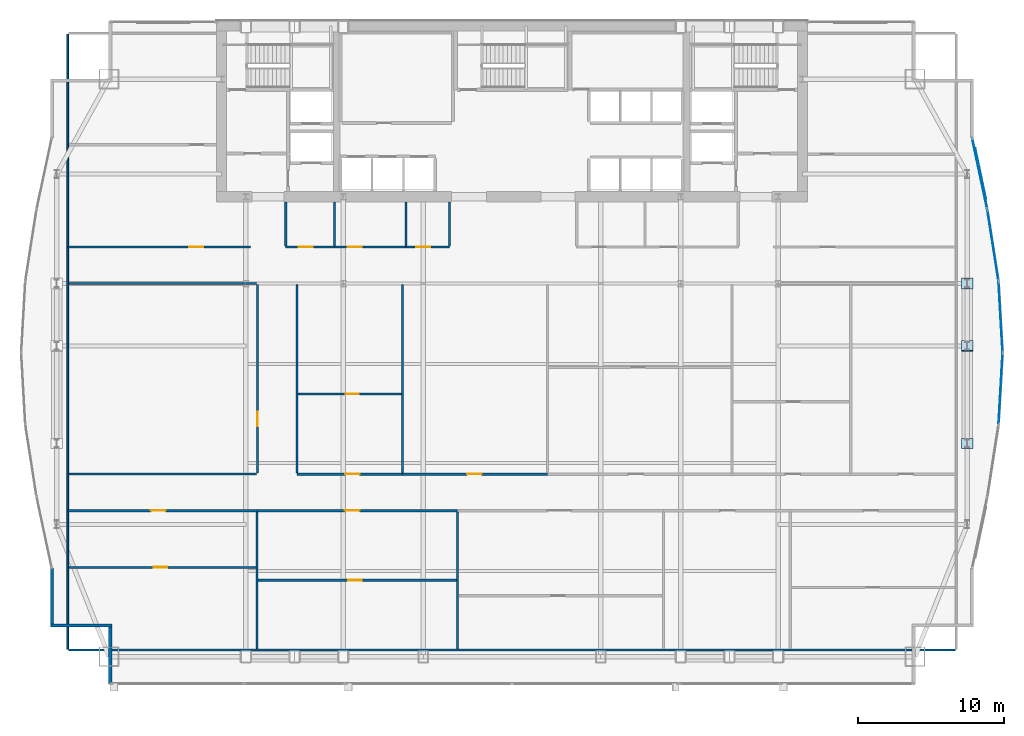
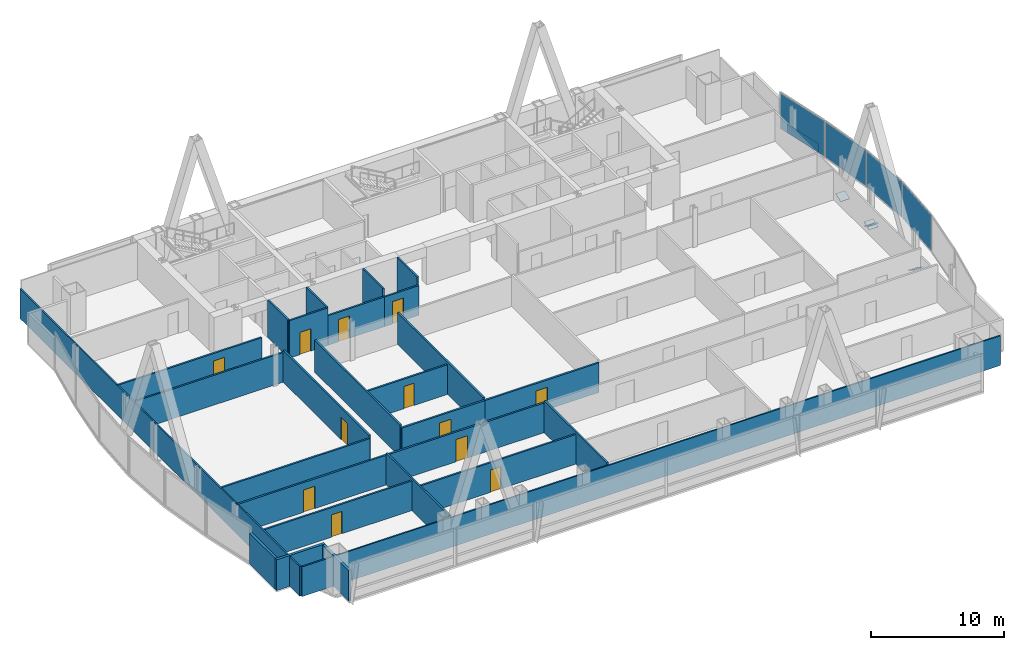
# One storey, part 25 of 30: 27 walls, 12 doors, 9 plates, 12 openings, 4 elements without a shape of their own.
"""IFC4 building model written with IfcOpenShell, lengths in metres."""

from ifc_helpers import new_model, si_unit, direction, frame, frame_2d, origin, origin_2d, place, context, subcontext, project, spatial, polyline, rectangle, outline, extrude, material, layer, layer_set, type_object, element, fill, aggregate, save


model = new_model("IFC4")

# Units and contexts
model_context = context("Model", 3, precision=1e-05, world=origin(), true_north=direction((0.0, 1.0)))
body_context = subcontext(model_context, "Body", "Model", "MODEL_VIEW")
ifc_project = project(units=[si_unit("LENGTHUNIT", "METRE"), si_unit("AREAUNIT", "SQUARE_METRE"), si_unit("VOLUMEUNIT", "CUBIC_METRE"), si_unit("PLANEANGLEUNIT", "RADIAN"), si_unit("MASSUNIT", "GRAM", prefix="KILO")], contexts=[model_context])

# Site, building, storey
site_placement = place(None, origin())
site = spatial("IfcSite", under=ifc_project, at=site_placement, CompositionType="ELEMENT")
building_placement = place(site_placement, origin())
building = spatial("IfcBuilding", under=site, at=building_placement, Name="Khoronbel Lancet Exchange", CompositionType="ELEMENT")
storey_placement = place(building_placement, frame((0.0, 0.0, 157.800048828125)))
storey = spatial("IfcBuildingStorey", under=building, at=storey_placement, Name="L39", CompositionType="ELEMENT", Elevation=157.800048828125)

# Curtain wall, plate
ifc_material_1 = material(Name="Low-E Solar Control Insulating Glass", Category="glass")
curtain_wall_type = type_object("IfcCurtainWallType", Name="CW-4", PredefinedType="NOTDEFINED", material=ifc_material_1)
curtain_wall_1_placement = place(storey_placement, origin())
curtain_wall_1 = element("IfcCurtainWall", 1, at=curtain_wall_1_placement, inside=storey, type_object=curtain_wall_type, Name="Unitised curtain wall CW-L39-E17", PredefinedType="NOTDEFINED")
ifc_material_2 = material(Name="Bronze-Anodised Aluminium 6063-T6", Category="aluminium")
ifc_layer_1 = layer(ifc_material_2, 0.050048828125, Name="Bronze-Anodised Aluminium 6063-T6")
ifc_layer_set_1 = layer_set([ifc_layer_1], Name="Bronze-Anodised Aluminium 6063-T6")
plate_type_1 = type_object("IfcPlateType", Name="PLT-CSP1", PredefinedType="SHEET", material=ifc_layer_set_1)
plate_1_placement = place(storey_placement, frame((68.54345703125, 43.2412109375, 0.0498046875), z_axis=(0.0, 0.0, 1.0), x_axis=(0.208496605228, -0.978023090529, 0.0)))
plate_1 = element("IfcPlate", 2, at=plate_1_placement, type_object=plate_type_1, Name="Insulated bronze spandrel cassette CW-L39-E17", PredefinedType="SHEET", context=body_context, shape_type="SweptSolid", body=[
    extrude(rectangle(XDim=3.52392578125, YDim=0.050048828125, at=origin_2d()), origin(), (0.0, 0.0, 1.0), 0.800048828125),
])

curtain_wall_2_placement = place(storey_placement, origin())
curtain_wall_2 = element("IfcCurtainWall", 3, at=curtain_wall_2_placement, inside=storey, type_object=curtain_wall_type, Name="Unitised curtain wall CW-L39-E18", PredefinedType="NOTDEFINED")
plate_2_placement = place(storey_placement, frame((69.392578125, 38.31201171875, 0.0849609375), z_axis=(0.0, 0.0, 1.0), x_axis=(0.154189029189, -0.98804136719, 0.0)))
plate_2 = element("IfcPlate", 4, at=plate_2_placement, type_object=plate_type_1, Name="CW4 panel 1.1", PredefinedType="CURTAIN_PANEL", context=body_context, shape_type="SweptSolid", body=[
    extrude(rectangle(XDim=4.8193359375, YDim=0.0380859375, at=origin_2d()), origin(), (0.0, 0.0, 1.0), 3.27001953125),
])
aggregate(curtain_wall_2, [plate_2])

curtain_wall_3_placement = place(storey_placement, origin())
curtain_wall_3 = element("IfcCurtainWall", 5, at=curtain_wall_3_placement, inside=storey, type_object=curtain_wall_type, Name="Unitised curtain wall CW-L39-E19", PredefinedType="NOTDEFINED")
plate_3_placement = place(storey_placement, frame((69.916015625, 33.403564453125, 0.0849609375), z_axis=(0.0, 0.0, 1.0), x_axis=(0.05702719411, -0.998372625392, 0.0)))
plate_3 = element("IfcPlate", 6, at=plate_3_placement, type_object=plate_type_1, Name="CW4 panel 1.1", PredefinedType="CURTAIN_PANEL", context=body_context, shape_type="SweptSolid", body=[
    extrude(rectangle(XDim=4.76513671875, YDim=0.0380859375, at=origin_2d()), origin(), (0.0, 0.0, 1.0), 3.27001953125),
])
aggregate(curtain_wall_3, [plate_3])

curtain_wall_4_placement = place(storey_placement, origin())
curtain_wall_4 = element("IfcCurtainWall", 7, at=curtain_wall_4_placement, inside=storey, type_object=curtain_wall_type, Name="Unitised curtain wall CW-L39-E20", PredefinedType="NOTDEFINED")
plate_4_placement = place(storey_placement, frame((69.916015625, 28.496337890625, 0.0849609375), z_axis=(0.0, 0.0, 1.0), x_axis=(-0.05702719411, -0.998372625392, 0.0)))
plate_4 = element("IfcPlate", 8, at=plate_4_placement, type_object=plate_type_1, Name="CW4 panel 1.1", PredefinedType="CURTAIN_PANEL", context=body_context, shape_type="SweptSolid", body=[
    extrude(rectangle(XDim=4.76513671875, YDim=0.0380859375, at=origin_2d()), origin(), (0.0, 0.0, 1.0), 3.27001953125),
])
aggregate(curtain_wall_4, [plate_4])

# Plate
ifc_material_3 = material(Name="Ceramic-Fritted Laminated Insulating Glass", Category="glass")
ifc_layer_2 = layer(ifc_material_3, 0.0419921875, Name="Ceramic-Fritted Laminated Insulating Glass")
ifc_layer_set_2 = layer_set([ifc_layer_2], Name="Ceramic-Fritted Laminated Insulating Glass")
plate_type_2 = type_object("IfcPlateType", Name="PLT-CWP2", PredefinedType="CURTAIN_PANEL", material=ifc_layer_set_2)
plate_5_placement = place(storey_placement, frame((68.48486328125, 43.228759765625, 0.0849609375), z_axis=(0.0, 0.0, 1.0), x_axis=(0.208496605228, -0.978023090529, 0.0)))
plate_5 = element("IfcPlate", 9, at=plate_5_placement, type_object=plate_type_2, Name="CW4 panel 1.1", PredefinedType="CURTAIN_PANEL", context=body_context, shape_type="SweptSolid", body=[
    extrude(rectangle(XDim=4.884033203125, YDim=0.0380859375, at=origin_2d()), origin(), (0.0, 0.0, 1.0), 3.27001953125),
])

aggregate(curtain_wall_1, [plate_5, plate_1])

# Plates
ifc_material_4 = material(Name="Steel S460", Category="steel")
ifc_layer_3 = layer(ifc_material_4, 0.044921875, Name="Steel S460")
ifc_layer_set_3 = layer_set([ifc_layer_3], Name="Steel S460")
plate_type_3 = type_object("IfcPlateType", Name="PLT-ECP1", PredefinedType="USERDEFINED", material=ifc_layer_set_3)
plate_6_placement = place(storey_placement, frame((68.030029296875, 31.78271484375, -0.182373046875), z_axis=(0.0, 0.525713722958, 0.850661555199), x_axis=(-1.0, 0.0, 0.0)))
element("IfcPlate", 10, at=plate_6_placement, inside=storey, type_object=plate_type_3, Name="Hollow end cap plate PLT-CAP-MEM-MB-T12-E-P-L-1", ObjectType="STIFFENER_PLATE", PredefinedType="USERDEFINED", context=body_context, shape_type="SweptSolid", body=[
    extrude(outline(polyline([(0.0, 0.0), (0.800048828125, 0.0), (0.800048828125, 0.800048828125), (0.0, 0.800048828125), (0.0, 0.0)])), origin(), (0.0, 0.0, -1.0), 0.044921875),
])
plate_7_placement = place(storey_placement, frame((67.22998046875, 31.041015625, -0.11669921875), z_axis=(0.0, -0.368125419582, 0.929776142659), x_axis=(1.0, 0.0, 0.0)))
element("IfcPlate", 11, at=plate_7_placement, inside=storey, type_object=plate_type_3, Name="Hollow end cap plate PLT-CAP-MEM-MB-T12-E-P-R-1", ObjectType="STIFFENER_PLATE", PredefinedType="USERDEFINED", context=body_context, shape_type="SweptSolid", body=[
    extrude(outline(polyline([(0.0, 0.0), (0.800048828125, 0.0), (0.800048828125, 0.7998046875), (0.0, 0.7998046875), (0.0, 0.0)])), origin(), (0.0, 0.0, -1.0), 0.044921875),
])
for number, where, z_axis, x_axis, name in (
    (12, (68.030029296875, 25.0966796875, -0.2001953125), (0.0, 0.525713722958, 0.850661555199), (-1.0, 0.0, 0.0), "Hollow end cap plate PLT-CAP-MEM-MB-T13-E-P-L-0"),
    (13, (67.22998046875, 35.32373046875, -0.13623046875), (0.0, -0.368284752847, 0.929713042191), (1.0, 0.0, 0.0), "Hollow end cap plate PLT-CAP-MEM-MB-T13-E-P-R-0"),
):
    element("IfcPlate", number, at=place(storey_placement, frame(where, z_axis=z_axis, x_axis=x_axis)), inside=storey, type_object=plate_type_3, Name=name, ObjectType="STIFFENER_PLATE", PredefinedType="USERDEFINED", context=body_context, shape_type="SweptSolid", body=[
        extrude(outline(polyline([(0.0, 0.0), (0.800048828125, 0.0), (0.800048828125, 0.800048828125), (0.0, 0.800048828125), (0.0, 0.0)])), origin(), (0.0, 0.0, -1.0), 0.044921875),
    ])

# Walls
ifc_material_5 = material(Name="Precast concrete C40/50", Category="concrete")
ifc_layer_4 = layer(ifc_material_5, 0.25, Name="Precast concrete C40/50")
ifc_layer_set_4 = layer_set([ifc_layer_4], Name="Precast concrete C40/50")
wall_type_1 = type_object("IfcWallType", Name="WL-EXT250", PredefinedType="SOLIDWALL", material=ifc_layer_set_4)
wall_1_placement = place(storey_placement, frame((8.93994140625, 8.27001953125, 0.0), z_axis=(0.0, 0.0, 1.0), x_axis=(0.0, 1.0, 0.0)))
element("IfcWall", 14, at=wall_1_placement, inside=storey, type_object=wall_type_1, Name="Level L39 notched-corner limestone pier 01", PredefinedType="SOLIDWALL", context=body_context, shape_type="SweptSolid", body=[
    extrude(rectangle(XDim=3.909912109375, YDim=0.219970703125, at=frame_2d((1.955078125, 0.0))), origin(), (0.0, 0.0, 1.0), 2.829833984375),
])
wall_2_placement = place(storey_placement, frame((9.050048828125, 12.2900390625, 0.0), z_axis=(0.0, 0.0, 1.0), x_axis=(-1.0, 0.0, 0.0)))
element("IfcWall", 15, at=wall_2_placement, inside=storey, type_object=wall_type_1, Name="Level L39 notched-corner limestone pier 02", PredefinedType="SOLIDWALL", context=body_context, shape_type="SweptSolid", body=[
    extrude(rectangle(XDim=4.219970703125, YDim=0.219970703125, at=frame_2d((2.10986328125, 0.0))), origin(), (0.0, 0.0, 1.0), 2.829833984375),
])
wall_3_placement = place(storey_placement, frame((4.93994140625, 12.39990234375, 0.0), z_axis=(0.0, 0.0, 1.0), x_axis=(0.0, 1.0, 0.0)))
element("IfcWall", 16, at=wall_3_placement, inside=storey, type_object=wall_type_1, Name="Level L39 notched-corner limestone pier 03", PredefinedType="SOLIDWALL", context=body_context, shape_type="SweptSolid", body=[
    extrude(rectangle(XDim=3.82958984375, YDim=0.219970703125, at=frame_2d((1.914794921875, 0.0))), origin(), (0.0, 0.0, 1.0), 2.829833984375),
])
ifc_material_6 = material(Name="Acoustic Metal-Stud & Mineral-Wool Gypsum Partition 120 mm", Category="gypsum")
ifc_layer_5 = layer(ifc_material_6, 0.1201171875, Name="Acoustic Metal-Stud & Mineral-Wool Gypsum Partition 120 mm")
ifc_layer_set_5 = layer_set([ifc_layer_5], Name="Acoustic Metal-Stud & Mineral-Wool Gypsum Partition 120 mm")
wall_type_2 = type_object("IfcWallType", Name="WL-PRT120", PredefinedType="PARTITIONING", material=ifc_layer_set_5)
for number, where, z_axis, x_axis, name in (
    (17, (20.949951171875, 38.280029296875, 0.0), (0.0, 0.0, 1.0), (0.0, 1.0, 0.0), "Level L39 interior partition PW-WC-0"),
    (18, (24.300048828125, 38.280029296875, 0.0), (0.0, 0.0, 1.0), (0.0, 1.0, 0.0), "Level L39 interior partition PW-WC-1"),
    (19, (29.199951171875, 38.280029296875, 0.0), (0.0, 0.0, 1.0), (0.0, 1.0, 0.0), "Level L39 interior partition PW-WC-2"),
    (20, (32.179931640625, 38.280029296875, 0.0), (0.0, 0.0, 1.0), (0.0, 1.0, 0.0), "Level L39 interior partition PW-WC-3"),
):
    element("IfcWall", number, at=place(storey_placement, frame(where, z_axis=z_axis, x_axis=x_axis)), inside=storey, type_object=wall_type_2, Name=name, PredefinedType="PARTITIONING", context=body_context, shape_type="SweptSolid", body=[
        extrude(rectangle(XDim=3.02001953125, YDim=0.14990234375, at=frame_2d((1.510009765625, 0.0))), origin(), (0.0, 0.0, 1.0), 3.43994140625),
    ])

# Wall, opening, door
wall_4_placement = place(storey_placement, frame((6.094970703125, 16.2626953125, 0.0), z_axis=(0.0, 0.0, 1.0), x_axis=(1.0, 0.0, 0.0)))
wall_4 = element("IfcWall", 21, at=wall_4_placement, inside=storey, type_object=wall_type_2, Name="Level L39 interior partition PW-Z2S-H1", PredefinedType="PARTITIONING", context=body_context, shape_type="SweptSolid", body=[
    extrude(rectangle(XDim=12.81103515625, YDim=0.14990234375, at=frame_2d((6.405517578125, 0.0))), origin(), (0.0, 0.0, 1.0), 2.72998046875),
])
opening_1_placement = place(wall_4_placement, frame((5.830078125, 0.0, 0.0)))
opening_1 = element("IfcOpeningElement", 22, at=opening_1_placement, cuts=wall_4, Name="Opening D5", PredefinedType="OPENING", context=body_context, shape_type="SweptSolid", body=[
    extrude(rectangle(XDim=0.89990234375, YDim=2.050048828125, at=frame_2d((0.449951171875, 1.02490234375))), frame((0.0, 0.0849609375, 0.0), z_axis=(0.0, -1.0, 0.0), x_axis=(1.0, 0.0, 0.0)), (0.0, 0.0, 1.0), 0.169921875),
])
ifc_material_7 = material(Name="Acoustic Timber Pantry & Support Door", Category="wood")
door_type_1 = type_object("IfcDoorType", Name="DR-D5", OperationType="NOTDEFINED", PredefinedType="DOOR", material=ifc_material_7)
door_1_placement = place(opening_1_placement, origin())
door_1 = element("IfcDoor", 23, at=door_1_placement, inside=storey, type_object=door_type_1, Name="Z2S inner door 1 L39-1", OperationType="SINGLE_SWING_LEFT", OverallHeight=2.050048828125, OverallWidth=0.89990234375, PredefinedType="DOOR", context=body_context, shape_type="SweptSolid", body=[
    extrude(rectangle(XDim=0.89990234375, YDim=2.050048828125, at=frame_2d((0.449951171875, 1.02490234375))), frame((0.0, 0.02490234375, 0.0), z_axis=(0.0, -1.0, 0.0), x_axis=(1.0, 0.0, 0.0)), (0.0, 0.0, 1.0), 0.050048828125),
])
fill(opening_1, door_1)

wall_5_placement = place(storey_placement, frame((19.06591796875, 15.375, 0.0), z_axis=(0.0, 0.0, 1.0), x_axis=(1.0, 0.0, 0.0)))
wall_5 = element("IfcWall", 24, at=wall_5_placement, inside=storey, type_object=wall_type_2, Name="Level L39 interior partition PW-Z2S-H2", PredefinedType="PARTITIONING", context=body_context, shape_type="SweptSolid", body=[
    extrude(rectangle(XDim=13.578857421875, YDim=0.14990234375, at=frame_2d((6.78955078125, 0.0))), origin(), (0.0, 0.0, 1.0), 2.72998046875),
])
opening_2_placement = place(wall_5_placement, frame((6.1826171875, 0.0, 0.0)))
opening_2 = element("IfcOpeningElement", 25, at=opening_2_placement, cuts=wall_5, Name="Opening D5", PredefinedType="OPENING", context=body_context, shape_type="SweptSolid", body=[
    extrude(rectangle(XDim=0.89990234375, YDim=2.050048828125, at=frame_2d((0.449951171875, 1.02490234375))), frame((0.0, 0.0849609375, 0.0), z_axis=(0.0, -1.0, 0.0), x_axis=(1.0, 0.0, 0.0)), (0.0, 0.0, 1.0), 0.169921875),
])
door_2_placement = place(opening_2_placement, origin())
door_2 = element("IfcDoor", 26, at=door_2_placement, inside=storey, type_object=door_type_1, Name="Z2S inner door 2 L39-1", OperationType="SINGLE_SWING_LEFT", OverallHeight=2.050048828125, OverallWidth=0.89990234375, PredefinedType="DOOR", context=body_context, shape_type="SweptSolid", body=[
    extrude(rectangle(XDim=0.89990234375, YDim=2.050048828125, at=frame_2d((0.449951171875, 1.02490234375))), frame((0.0, 0.02490234375, 0.0), z_axis=(0.0, -1.0, 0.0), x_axis=(1.0, 0.0, 0.0)), (0.0, 0.0, 1.0), 0.050048828125),
])
fill(opening_2, door_2)

wall_6_placement = place(storey_placement, frame((21.81005859375, 28.131103515625, 0.0), z_axis=(0.0, 0.0, 1.0), x_axis=(1.0, 0.0, 0.0)))
wall_6 = element("IfcWall", 27, at=wall_6_placement, inside=storey, type_object=wall_type_2, Name="Level L39 interior partition PW-Z2N-H1", PredefinedType="PARTITIONING", context=body_context, shape_type="SweptSolid", body=[
    extrude(rectangle(XDim=7.062255859375, YDim=0.14990234375, at=frame_2d((3.53125, 0.0))), origin(), (0.0, 0.0, 1.0), 2.72998046875),
])
opening_3_placement = place(wall_6_placement, frame((3.25, 0.0, 0.0)))
opening_3 = element("IfcOpeningElement", 28, at=opening_3_placement, cuts=wall_6, Name="Opening D5", PredefinedType="OPENING", context=body_context, shape_type="SweptSolid", body=[
    extrude(rectangle(XDim=0.89990234375, YDim=2.050048828125, at=frame_2d((0.449951171875, 1.02490234375))), frame((0.0, 0.0849609375, 0.0), z_axis=(0.0, -1.0, 0.0), x_axis=(1.0, 0.0, 0.0)), (0.0, 0.0, 1.0), 0.169921875),
])
door_3_placement = place(opening_3_placement, origin())
door_3 = element("IfcDoor", 29, at=door_3_placement, inside=storey, type_object=door_type_1, Name="Z2N inner door 1 L39-1", OperationType="SINGLE_SWING_RIGHT", OverallHeight=2.050048828125, OverallWidth=0.89990234375, PredefinedType="DOOR", context=body_context, shape_type="SweptSolid", body=[
    extrude(rectangle(XDim=0.89990234375, YDim=2.050048828125, at=frame_2d((0.449951171875, 1.02490234375))), frame((0.0, 0.02490234375, 0.0), z_axis=(0.0, -1.0, 0.0), x_axis=(1.0, 0.0, 0.0)), (0.0, 0.0, 1.0), 0.050048828125),
])
fill(opening_3, door_3)

# Walls
wall_7_placement = place(storey_placement, frame((6.030029296875, 10.6650390625, 0.0), z_axis=(0.0, 0.0, 1.0), x_axis=(0.0, 1.0, 0.0)))
element("IfcWall", 30, at=wall_7_placement, inside=storey, type_object=wall_type_2, Name="Level L39 interior partition PW-LIN-W", PredefinedType="PARTITIONING", context=body_context, shape_type="SweptSolid", body=[
    extrude(rectangle(XDim=42.10986328125, YDim=0.1201171875, at=frame_2d((21.054931640625, 0.0))), origin(), (0.0, 0.0, 1.0), 2.72998046875),
])
wall_8_placement = place(storey_placement, frame((6.094970703125, 10.60009765625, 0.0), z_axis=(0.0, 0.0, 1.0), x_axis=(1.0, 0.0, 0.0)))
element("IfcWall", 31, at=wall_8_placement, inside=storey, type_object=wall_type_2, Name="Level L39 interior partition PW-LIN-S", PredefinedType="PARTITIONING", context=body_context, shape_type="SweptSolid", body=[
    extrude(rectangle(XDim=60.7099609375, YDim=0.1201171875, at=frame_2d((30.35498046875, 0.0))), origin(), (0.0, 0.0, 1.0), 2.72998046875),
])

# Wall, opening, door
ifc_material_8 = material(Name="Fire-Rated Twin-Stud Acoustic Gypsum Partition 150 mm", Category="gypsum")
ifc_layer_6 = layer(ifc_material_8, 0.14990234375, Name="Fire-Rated Twin-Stud Acoustic Gypsum Partition 150 mm")
ifc_layer_set_6 = layer_set([ifc_layer_6], Name="Fire-Rated Twin-Stud Acoustic Gypsum Partition 150 mm")
wall_type_3 = type_object("IfcWallType", Name="WL-PRT150C", PredefinedType="PARTITIONING", material=ifc_layer_set_6)
wall_9_placement = place(storey_placement, frame((20.949951171875, 38.199951171875, 0.0), z_axis=(0.0, 0.0, 1.0), x_axis=(1.0, 0.0, 0.0)))
wall_9 = element("IfcWall", 32, at=wall_9_placement, inside=storey, type_object=wall_type_3, Name="Level L39 interior partition PW-WC-S1", PredefinedType="PARTITIONING", context=body_context, shape_type="SweptSolid", body=[
    extrude(rectangle(XDim=3.35009765625, YDim=0.14990234375, at=frame_2d((1.675048828125, 0.0))), origin(), (0.0, 0.0, 1.0), 3.43994140625),
])
opening_4_placement = place(wall_9_placement, frame((0.89990234375, 0.0, 0.0)))
opening_4 = element("IfcOpeningElement", 33, at=opening_4_placement, cuts=wall_9, Name="Opening D4", PredefinedType="OPENING", context=body_context, shape_type="SweptSolid", body=[
    extrude(rectangle(XDim=0.949951171875, YDim=2.050048828125, at=frame_2d((0.47509765625, 1.02490234375))), frame((0.0, 0.0849609375, 0.0), z_axis=(0.0, -1.0, 0.0), x_axis=(1.0, 0.0, 0.0)), (0.0, 0.0, 1.0), 0.169921875),
])
ifc_material_9 = material(Name="Moisture-Resistant HPL Washroom Door", Category="wood")
door_type_2 = type_object("IfcDoorType", Name="DR-D4", OperationType="NOTDEFINED", PredefinedType="DOOR", material=ifc_material_9)
door_4_placement = place(opening_4_placement, origin())
door_4 = element("IfcDoor", 34, at=door_4_placement, inside=storey, type_object=door_type_2, Name="Male washroom door L39-1", OperationType="SINGLE_SWING_LEFT", OverallHeight=2.050048828125, OverallWidth=0.949951171875, PredefinedType="DOOR", context=body_context, shape_type="SweptSolid", body=[
    extrude(rectangle(XDim=0.949951171875, YDim=2.050048828125, at=frame_2d((0.47509765625, 1.02490234375))), frame((0.0, 0.02490234375, 0.0), z_axis=(0.0, -1.0, 0.0), x_axis=(1.0, 0.0, 0.0)), (0.0, 0.0, 1.0), 0.050048828125),
])
fill(opening_4, door_4)

wall_10_placement = place(storey_placement, frame((24.300048828125, 38.199951171875, 0.0), z_axis=(0.0, 0.0, 1.0), x_axis=(1.0, 0.0, 0.0)))
wall_10 = element("IfcWall", 35, at=wall_10_placement, inside=storey, type_object=wall_type_3, Name="Level L39 interior partition PW-WC-S2", PredefinedType="PARTITIONING", context=body_context, shape_type="SweptSolid", body=[
    extrude(rectangle(XDim=4.89990234375, YDim=0.14990234375, at=frame_2d((2.449951171875, 0.0))), origin(), (0.0, 0.0, 1.0), 2.72998046875),
])
opening_5_placement = place(wall_10_placement, frame((0.89990234375, 0.0, 0.0)))
opening_5 = element("IfcOpeningElement", 36, at=opening_5_placement, cuts=wall_10, Name="Opening D4", PredefinedType="OPENING", context=body_context, shape_type="SweptSolid", body=[
    extrude(rectangle(XDim=0.949951171875, YDim=2.050048828125, at=frame_2d((0.47509765625, 1.02490234375))), frame((0.0, 0.0849609375, 0.0), z_axis=(0.0, -1.0, 0.0), x_axis=(1.0, 0.0, 0.0)), (0.0, 0.0, 1.0), 0.169921875),
])
door_5_placement = place(opening_5_placement, origin())
door_5 = element("IfcDoor", 37, at=door_5_placement, inside=storey, type_object=door_type_2, Name="Female washroom door L39-1", OperationType="SINGLE_SWING_RIGHT", OverallHeight=2.050048828125, OverallWidth=0.949951171875, PredefinedType="DOOR", context=body_context, shape_type="SweptSolid", body=[
    extrude(rectangle(XDim=0.949951171875, YDim=2.050048828125, at=frame_2d((0.47509765625, 1.02490234375))), frame((0.0, 0.02490234375, 0.0), z_axis=(0.0, -1.0, 0.0), x_axis=(1.0, 0.0, 0.0)), (0.0, 0.0, 1.0), 0.050048828125),
])
fill(opening_5, door_5)

wall_11_placement = place(storey_placement, frame((29.199951171875, 38.199951171875, 0.0), z_axis=(0.0, 0.0, 1.0), x_axis=(1.0, 0.0, 0.0)))
wall_11 = element("IfcWall", 38, at=wall_11_placement, inside=storey, type_object=wall_type_3, Name="Level L39 interior partition PW-WC-S3", PredefinedType="PARTITIONING", context=body_context, shape_type="SweptSolid", body=[
    extrude(rectangle(XDim=2.97998046875, YDim=0.14990234375, at=frame_2d((1.489990234375, 0.0))), origin(), (0.0, 0.0, 1.0), 2.72998046875),
])
opening_6_placement = place(wall_11_placement, frame((0.699951171875, 0.0, 0.0)))
opening_6 = element("IfcOpeningElement", 39, at=opening_6_placement, cuts=wall_11, Name="Opening D4", PredefinedType="OPENING", context=body_context, shape_type="SweptSolid", body=[
    extrude(rectangle(XDim=0.949951171875, YDim=2.050048828125, at=frame_2d((0.47509765625, 1.02490234375))), frame((0.0, 0.0849609375, 0.0), z_axis=(0.0, -1.0, 0.0), x_axis=(1.0, 0.0, 0.0)), (0.0, 0.0, 1.0), 0.169921875),
])
door_6_placement = place(opening_6_placement, origin())
door_6 = element("IfcDoor", 40, at=door_6_placement, inside=storey, type_object=door_type_2, Name="Accessible WC door L39-1", OperationType="SINGLE_SWING_LEFT", OverallHeight=2.050048828125, OverallWidth=0.949951171875, PredefinedType="DOOR", context=body_context, shape_type="SweptSolid", body=[
    extrude(rectangle(XDim=0.949951171875, YDim=2.050048828125, at=frame_2d((0.47509765625, 1.02490234375))), frame((0.0, 0.02490234375, 0.0), z_axis=(0.0, -1.0, 0.0), x_axis=(1.0, 0.0, 0.0)), (0.0, 0.0, 1.0), 0.050048828125),
])
fill(opening_6, door_6)

wall_12_placement = place(storey_placement, frame((6.030029296875, 38.199951171875, 0.0), z_axis=(0.0, 0.0, 1.0), x_axis=(1.0, 0.0, 0.0)))
wall_12 = element("IfcWall", 41, at=wall_12_placement, inside=storey, type_object=wall_type_3, Name="Level L39 interior partition PW-NW-S", PredefinedType="PARTITIONING", context=body_context, shape_type="SweptSolid", body=[
    extrude(rectangle(XDim=12.52001953125, YDim=0.14990234375, at=frame_2d((6.260009765625, 0.0))), origin(), (0.0, 0.0, 1.0), 2.72998046875),
])
opening_7_placement = place(wall_12_placement, frame((8.320068359375, 0.0, 0.0)))
opening_7 = element("IfcOpeningElement", 42, at=opening_7_placement, cuts=wall_12, Name="Opening D1", PredefinedType="OPENING", context=body_context, shape_type="SweptSolid", body=[
    extrude(rectangle(XDim=0.949951171875, YDim=2.050048828125, at=frame_2d((0.47509765625, 1.02490234375))), frame((0.0, 0.0849609375, 0.0), z_axis=(0.0, -1.0, 0.0), x_axis=(1.0, 0.0, 0.0)), (0.0, 0.0, 1.0), 0.169921875),
])
ifc_material_10 = material(Name="Acoustic Veneered Timber & Bronze Frame Door", Category="wood")
door_type_3 = type_object("IfcDoorType", Name="DR-D1", OperationType="NOTDEFINED", PredefinedType="DOOR", material=ifc_material_10)
door_7_placement = place(opening_7_placement, origin())
door_7 = element("IfcDoor", 43, at=door_7_placement, inside=storey, type_object=door_type_3, Name="NW corner room door L39-1", OperationType="SINGLE_SWING_RIGHT", OverallHeight=2.050048828125, OverallWidth=0.949951171875, PredefinedType="DOOR", context=body_context, shape_type="SweptSolid", body=[
    extrude(rectangle(XDim=0.949951171875, YDim=2.050048828125, at=frame_2d((0.47509765625, 1.02490234375))), frame((0.0, 0.02490234375, 0.0), z_axis=(0.0, -1.0, 0.0), x_axis=(1.0, 0.0, 0.0)), (0.0, 0.0, 1.0), 0.050048828125),
])
fill(opening_7, door_7)

# Walls
for number, where, z_axis, x_axis, name in (
    (44, (18.986083984375, 10.6650390625, 0.0), (0.0, 0.0, 1.0), (0.0, 1.0, 0.0), "Level L39 interior partition PW-Z2S-V1"),
    (45, (32.724853515625, 10.6650390625, 0.0), (0.0, 0.0, 1.0), (0.0, 1.0, 0.0), "Level L39 interior partition PW-Z2S-V2"),
):
    element("IfcWall", number, at=place(storey_placement, frame(where, z_axis=z_axis, x_axis=x_axis)), inside=storey, type_object=wall_type_3, Name=name, PredefinedType="PARTITIONING", context=body_context, shape_type="SweptSolid", body=[
        extrude(rectangle(XDim=9.39990234375, YDim=0.14990234375, at=frame_2d((4.699951171875, 0.0))), origin(), (0.0, 0.0, 1.0), 2.929931640625),
    ])

# Wall, opening, door
wall_13_placement = place(storey_placement, frame((19.02001953125, 22.72998046875, 0.0), z_axis=(0.0, 0.0, 1.0), x_axis=(0.0, 1.0, 0.0)))
wall_13 = element("IfcWall", 46, at=wall_13_placement, inside=storey, type_object=wall_type_3, Name="Level L39 interior partition PW-Z2-WLK", PredefinedType="PARTITIONING", context=body_context, shape_type="SweptSolid", body=[
    extrude(rectangle(XDim=12.89013671875, YDim=0.14990234375, at=frame_2d((6.445068359375, 0.0))), origin(), (0.0, 0.0, 1.0), 2.929931640625),
])
opening_8_placement = place(wall_13_placement, frame((3.199951171875, 0.0, 0.0)))
opening_8 = element("IfcOpeningElement", 47, at=opening_8_placement, cuts=wall_13, Name="Opening D2", PredefinedType="OPENING", context=body_context, shape_type="SweptSolid", body=[
    extrude(rectangle(XDim=1.0, YDim=2.050048828125, at=frame_2d((0.5, 1.02490234375))), frame((0.0, 0.0849609375, 0.0), z_axis=(0.0, -1.0, 0.0), x_axis=(1.0, 0.0, 0.0)), (0.0, 0.0, 1.0), 0.169921875),
])
door_type_4 = type_object("IfcDoorType", Name="DR-D2", OperationType="NOTDEFINED", PredefinedType="DOOR", material=ifc_material_10)
door_8_placement = place(opening_8_placement, origin())
door_8 = element("IfcDoor", 48, at=door_8_placement, inside=storey, type_object=door_type_4, Name="West mid-band room door L39-1", OperationType="SINGLE_SWING_RIGHT", OverallHeight=2.050048828125, OverallWidth=1.0, PredefinedType="DOOR", context=body_context, shape_type="SweptSolid", body=[
    extrude(rectangle(XDim=1.0, YDim=2.050048828125, at=frame_2d((0.5, 1.02490234375))), frame((0.0, 0.02490234375, 0.0), z_axis=(0.0, -1.0, 0.0), x_axis=(1.0, 0.0, 0.0)), (0.0, 0.0, 1.0), 0.050048828125),
])
fill(opening_8, door_8)

# Walls
for number, where, z_axis, x_axis, name in (
    (49, (6.094970703125, 22.64990234375, 0.0), (0.0, 0.0, 1.0), (1.0, 0.0, 0.0), "Level L39 interior partition PW-Z2-WS"),
    (50, (6.094970703125, 35.699951171875, 0.0), (0.0, 0.0, 1.0), (1.0, 0.0, 0.0), "Level L39 interior partition PW-Z2-WN"),
):
    element("IfcWall", number, at=place(storey_placement, frame(where, z_axis=z_axis, x_axis=x_axis)), inside=storey, type_object=wall_type_3, Name=name, PredefinedType="PARTITIONING", context=body_context, shape_type="SweptSolid", body=[
        extrude(rectangle(XDim=12.844970703125, YDim=0.14990234375, at=frame_2d((6.42236328125, 0.0))), origin(), (0.0, 0.0, 1.0), 2.72998046875),
    ])
for number, where, z_axis, x_axis, name in (
    (51, (21.72998046875, 22.735107421875, 0.0), (0.0, 0.0, 1.0), (0.0, 1.0, 0.0), "Level L39 interior partition PW-Z2-ELK"),
    (52, (28.952392578125, 22.735107421875, 0.0), (0.0, 0.0, 1.0), (0.0, 1.0, 0.0), "Level L39 interior partition PW-Z2N-V1"),
):
    element("IfcWall", number, at=place(storey_placement, frame(where, z_axis=z_axis, x_axis=x_axis)), inside=storey, type_object=wall_type_3, Name=name, PredefinedType="PARTITIONING", context=body_context, shape_type="SweptSolid", body=[
        extrude(rectangle(XDim=12.885009765625, YDim=0.14990234375, at=frame_2d((6.4423828125, 0.0))), origin(), (0.0, 0.0, 1.0), 2.929931640625),
    ])

# Wall, opening, door
ifc_material_11 = material(Name="Fire-Rated Twin-Stud Acoustic Gypsum Partition 160 mm", Category="gypsum")
ifc_layer_7 = layer(ifc_material_11, 0.159912109375, Name="Fire-Rated Twin-Stud Acoustic Gypsum Partition 160 mm")
ifc_layer_set_7 = layer_set([ifc_layer_7], Name="Fire-Rated Twin-Stud Acoustic Gypsum Partition 160 mm")
wall_type_4 = type_object("IfcWallType", Name="WL-PRT160C", PredefinedType="PARTITIONING", material=ifc_layer_set_7)
wall_14_placement = place(storey_placement, frame((6.030029296875, 20.14990234375, 0.0), z_axis=(0.0, 0.0, 1.0), x_axis=(1.0, 0.0, 0.0)))
wall_14 = element("IfcWall", 53, at=wall_14_placement, inside=storey, type_object=wall_type_4, Name="Level L39 interior partition PW-Z2S-COR1", PredefinedType="PARTITIONING", context=body_context, shape_type="SweptSolid", body=[
    extrude(rectangle(XDim=12.9560546875, YDim=0.159912109375, at=frame_2d((6.47802734375, 0.0))), origin(), (0.0, 0.0, 1.0), 2.72998046875),
])
opening_9_placement = place(wall_14_placement, frame((5.69140625, 0.0, 0.0)))
opening_9 = element("IfcOpeningElement", 54, at=opening_9_placement, cuts=wall_14, Name="Opening D2", PredefinedType="OPENING", context=body_context, shape_type="SweptSolid", body=[
    extrude(rectangle(XDim=1.0, YDim=2.050048828125, at=frame_2d((0.5, 1.02490234375))), frame((0.0, 0.08984375, 0.0), z_axis=(0.0, -1.0, 0.0), x_axis=(1.0, 0.0, 0.0)), (0.0, 0.0, 1.0), 0.179931640625),
])
door_9_placement = place(opening_9_placement, origin())
door_9 = element("IfcDoor", 55, at=door_9_placement, inside=storey, type_object=door_type_4, Name="Z2S bay 1 door L39-1", OperationType="SINGLE_SWING_RIGHT", OverallHeight=2.050048828125, OverallWidth=1.0, PredefinedType="DOOR", context=body_context, shape_type="SweptSolid", body=[
    extrude(rectangle(XDim=1.0, YDim=2.050048828125, at=frame_2d((0.5, 1.02490234375))), frame((0.0, 0.02490234375, 0.0), z_axis=(0.0, -1.0, 0.0), x_axis=(1.0, 0.0, 0.0)), (0.0, 0.0, 1.0), 0.050048828125),
])
fill(opening_9, door_9)

wall_15_placement = place(storey_placement, frame((18.986083984375, 20.14990234375, 0.0), z_axis=(0.0, 0.0, 1.0), x_axis=(1.0, 0.0, 0.0)))
wall_15 = element("IfcWall", 56, at=wall_15_placement, inside=storey, type_object=wall_type_4, Name="Level L39 interior partition PW-Z2S-COR2", PredefinedType="PARTITIONING", context=body_context, shape_type="SweptSolid", body=[
    extrude(rectangle(XDim=13.73876953125, YDim=0.159912109375, at=frame_2d((6.869384765625, 0.0))), origin(), (0.0, 0.0, 1.0), 2.72998046875),
])
opening_10_placement = place(wall_15_placement, frame((6.020263671875, 0.0, 0.0)))
opening_10 = element("IfcOpeningElement", 57, at=opening_10_placement, cuts=wall_15, Name="Opening D2", PredefinedType="OPENING", context=body_context, shape_type="SweptSolid", body=[
    extrude(rectangle(XDim=1.0, YDim=2.050048828125, at=frame_2d((0.5, 1.02490234375))), frame((0.0, 0.08984375, 0.0), z_axis=(0.0, -1.0, 0.0), x_axis=(1.0, 0.0, 0.0)), (0.0, 0.0, 1.0), 0.179931640625),
])
door_10_placement = place(opening_10_placement, origin())
door_10 = element("IfcDoor", 58, at=door_10_placement, inside=storey, type_object=door_type_4, Name="Z2S bay 2 door L39-1", OperationType="SINGLE_SWING_RIGHT", OverallHeight=2.050048828125, OverallWidth=1.0, PredefinedType="DOOR", context=body_context, shape_type="SweptSolid", body=[
    extrude(rectangle(XDim=1.0, YDim=2.050048828125, at=frame_2d((0.5, 1.02490234375))), frame((0.0, 0.02490234375, 0.0), z_axis=(0.0, -1.0, 0.0), x_axis=(1.0, 0.0, 0.0)), (0.0, 0.0, 1.0), 0.050048828125),
])
fill(opening_10, door_10)

wall_16_placement = place(storey_placement, frame((21.72998046875, 22.64990234375, 0.0), z_axis=(0.0, 0.0, 1.0), x_axis=(1.0, 0.0, 0.0)))
wall_16 = element("IfcWall", 59, at=wall_16_placement, inside=storey, type_object=wall_type_4, Name="Level L39 interior partition PW-Z2N-COR1", PredefinedType="PARTITIONING", context=body_context, shape_type="SweptSolid", body=[
    extrude(rectangle(XDim=7.222412109375, YDim=0.159912109375, at=frame_2d((3.611328125, 0.0))), origin(), (0.0, 0.0, 1.0), 2.72998046875),
])
opening_11_placement = place(wall_16_placement, frame((3.283447265625, 0.0, 0.0)))
opening_11 = element("IfcOpeningElement", 60, at=opening_11_placement, cuts=wall_16, Name="Opening D2", PredefinedType="OPENING", context=body_context, shape_type="SweptSolid", body=[
    extrude(rectangle(XDim=1.0, YDim=2.050048828125, at=frame_2d((0.5, 1.02490234375))), frame((0.0, 0.08984375, 0.0), z_axis=(0.0, -1.0, 0.0), x_axis=(1.0, 0.0, 0.0)), (0.0, 0.0, 1.0), 0.179931640625),
])
door_11_placement = place(opening_11_placement, origin())
door_11 = element("IfcDoor", 61, at=door_11_placement, inside=storey, type_object=door_type_4, Name="Z2N bay 1 door L39-1", OperationType="SINGLE_SWING_LEFT", OverallHeight=2.050048828125, OverallWidth=1.0, PredefinedType="DOOR", context=body_context, shape_type="SweptSolid", body=[
    extrude(rectangle(XDim=1.0, YDim=2.050048828125, at=frame_2d((0.5, 1.02490234375))), frame((0.0, 0.02490234375, 0.0), z_axis=(0.0, -1.0, 0.0), x_axis=(1.0, 0.0, 0.0)), (0.0, 0.0, 1.0), 0.050048828125),
])
fill(opening_11, door_11)

wall_17_placement = place(storey_placement, frame((28.952392578125, 22.64990234375, 0.0), z_axis=(0.0, 0.0, 1.0), x_axis=(1.0, 0.0, 0.0)))
wall_17 = element("IfcWall", 62, at=wall_17_placement, inside=storey, type_object=wall_type_4, Name="Level L39 interior partition PW-Z2N-COR2", PredefinedType="PARTITIONING", context=body_context, shape_type="SweptSolid", body=[
    extrude(rectangle(XDim=9.930908203125, YDim=0.159912109375, at=frame_2d((4.96533203125, 0.0))), origin(), (0.0, 0.0, 1.0), 2.72998046875),
])
opening_12_placement = place(wall_17_placement, frame((4.4208984375, 0.0, 0.0)))
opening_12 = element("IfcOpeningElement", 63, at=opening_12_placement, cuts=wall_17, Name="Opening D2", PredefinedType="OPENING", context=body_context, shape_type="SweptSolid", body=[
    extrude(rectangle(XDim=1.0, YDim=2.050048828125, at=frame_2d((0.5, 1.02490234375))), frame((0.0, 0.08984375, 0.0), z_axis=(0.0, -1.0, 0.0), x_axis=(1.0, 0.0, 0.0)), (0.0, 0.0, 1.0), 0.179931640625),
])
door_12_placement = place(opening_12_placement, origin())
door_12 = element("IfcDoor", 64, at=door_12_placement, inside=storey, type_object=door_type_4, Name="Z2N bay 2 door L39-1", OperationType="SINGLE_SWING_LEFT", OverallHeight=2.050048828125, OverallWidth=1.0, PredefinedType="DOOR", context=body_context, shape_type="SweptSolid", body=[
    extrude(rectangle(XDim=1.0, YDim=2.050048828125, at=frame_2d((0.5, 1.02490234375))), frame((0.0, 0.02490234375, 0.0), z_axis=(0.0, -1.0, 0.0), x_axis=(1.0, 0.0, 0.0)), (0.0, 0.0, 1.0), 0.050048828125),
])
fill(opening_12, door_12)

save(model, "model.ifc")
